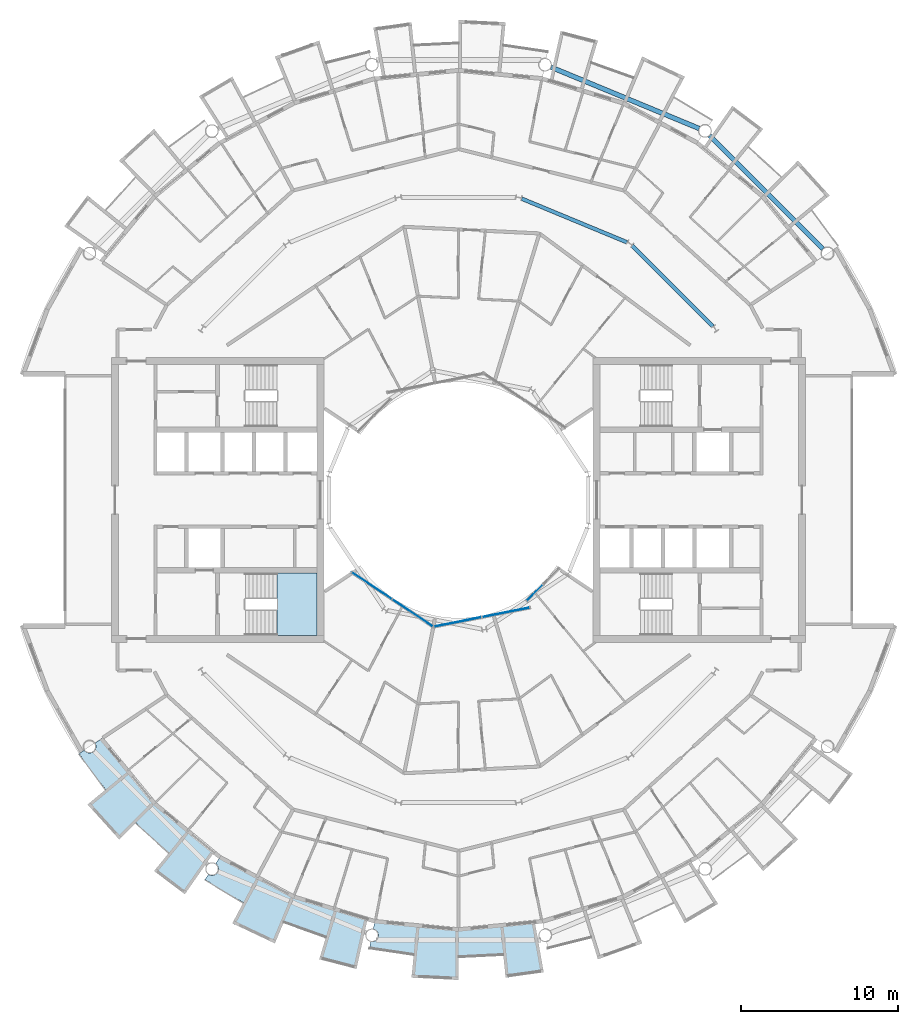
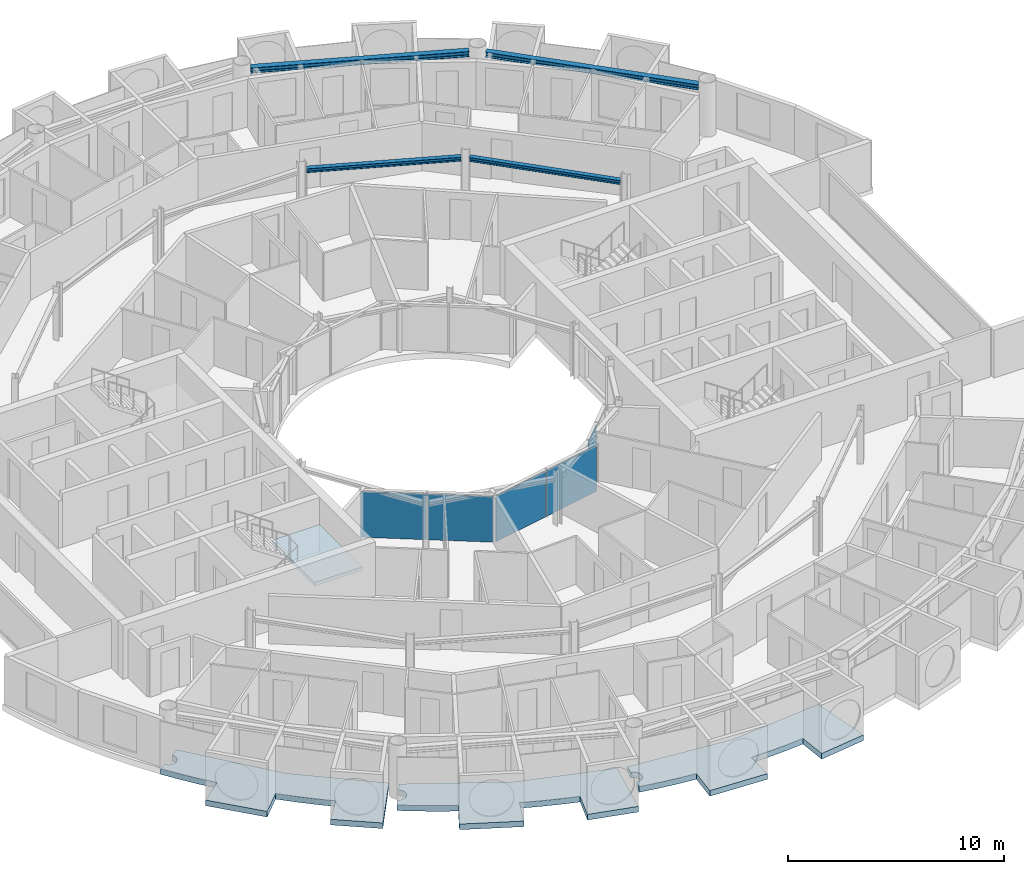
# One storey, part 11 of 29: 5 plates, 4 beams, 4 slabs, 4 elements without a shape of their own.
"""IFC4 building model written with IfcOpenShell, lengths in metres."""

from ifc_helpers import new_model, si_unit, direction, frame, origin, origin_2d, place, context, subcontext, project, spatial, polyline, rectangle, i_section, outline, extrude, material, layer, layer_set, material_profile, profile_set, type_object, element, aggregate, save


model = new_model("IFC4")

# Units and contexts
model_context = context("Model", 3, precision=1e-05, world=origin(), true_north=direction((0.0, 1.0)))
body_context = subcontext(model_context, "Body", "Model", "MODEL_VIEW")
ifc_project = project(units=[si_unit("LENGTHUNIT", "METRE"), si_unit("AREAUNIT", "SQUARE_METRE"), si_unit("VOLUMEUNIT", "CUBIC_METRE"), si_unit("PLANEANGLEUNIT", "RADIAN"), si_unit("MASSUNIT", "GRAM", prefix="KILO")], contexts=[model_context])

# Site, building, storey
site_placement = place(None, origin())
site = spatial("IfcSite", under=ifc_project, at=site_placement, CompositionType="ELEMENT")
building_placement = place(site_placement, origin())
building = spatial("IfcBuilding", under=site, at=building_placement, Name="Maasbend Ring Residences", CompositionType="ELEMENT")
storey_placement = place(building_placement, frame((0.0, 0.0, 193.25)))
storey = spatial("IfcBuildingStorey", under=building, at=storey_placement, Name="L55", CompositionType="ELEMENT", Elevation=193.25)

# Beams
ifc_material_1 = material(Name="Steel S355J2", Category="steel")
ifc_material_profile_1 = material_profile(ifc_material_1, i_section(OverallWidth=0.239990234375, OverallDepth=0.22998046875, WebThickness=0.007568359375, FlangeThickness=0.011962890625, FilletRadius=0.02099609375, at=origin_2d()), Name="HEA 240")
ifc_profile_set_1 = profile_set([ifc_material_profile_1], Name="Steel S355J2")
beam_type_1 = type_object("IfcBeamType", Name="Corridor ring beam HEA 240", PredefinedType="BEAM", material=ifc_profile_set_1)
beam_1_placement = place(storey_placement, frame((16.152587890625, 11.033447265625, 2.5849609375), z_axis=(-0.707106781187, 0.707106781187, 0.0), x_axis=(-0.707106781187, -0.707106781187, 0.0)))
element("IfcBeam", 1, at=beam_1_placement, inside=storey, type_object=beam_type_1, Name="Corridor ring beam", PredefinedType="BEAM", context=body_context, shape_type="SweptSolid", body=[
    extrude(i_section(OverallWidth=0.239990234375, OverallDepth=0.22998046875, WebThickness=0.007568359375, FlangeThickness=0.011962890625, FilletRadius=0.02099609375, at=origin_2d()), origin(), (0.0, 0.0, 1.0), 7.239501953125),
])
beam_2_placement = place(storey_placement, frame((10.70068359375, 16.374755859375, 2.5849609375), z_axis=(-0.923865162022, 0.382718123952, 0.0), x_axis=(-0.382718123952, -0.923865162022, 0.0)))
element("IfcBeam", 2, at=beam_2_placement, inside=storey, type_object=beam_type_1, Name="Corridor ring beam", PredefinedType="BEAM", context=body_context, shape_type="SweptSolid", body=[
    extrude(i_section(OverallWidth=0.239990234375, OverallDepth=0.22998046875, WebThickness=0.007568359375, FlangeThickness=0.011962890625, FilletRadius=0.02099609375, at=origin_2d()), origin(), (0.0, 0.0, 1.0), 7.23974609375),
])
ifc_material_2 = material(Name="Steel S355J2", Category="steel")
ifc_material_profile_2 = material_profile(ifc_material_2, i_section(OverallWidth=0.300048828125, OverallDepth=0.300048828125, WebThickness=0.010986328125, FlangeThickness=0.01904296875, FilletRadius=0.027099609375, at=origin_2d()), Name="HEB 300")
ifc_profile_set_2 = profile_set([ifc_material_profile_2], Name="Steel S355J2")
beam_type_2 = type_object("IfcBeamType", Name="Spandrel ring beam HEB 300", PredefinedType="SPANDREL", material=ifc_profile_set_2)
for number, where, z_axis, x_axis, name in (
    (3, (23.159912109375, 15.95458984375, 2.550048828125), (-0.707106781187, 0.707106781187, 0.0), (-0.707106781187, -0.707106781187, 0.0), "Spandrel ring beam"),
    (4, (15.29150390625, 23.60302734375, 2.550048828125), (-0.923883676188, 0.382673428492, 0.0), (-0.382673428492, -0.923883676188, 0.0), "Spandrel ring beam"),
):
    element("IfcBeam", number, at=place(storey_placement, frame(where, z_axis=z_axis, x_axis=x_axis)), inside=storey, type_object=beam_type_2, Name=name, PredefinedType="SPANDREL", context=body_context, shape_type="SweptSolid", body=[
        extrude(i_section(OverallWidth=0.300048828125, OverallDepth=0.300048828125, WebThickness=0.010986328125, FlangeThickness=0.01904296875, FilletRadius=0.027099609375, at=origin_2d()), origin(), (0.0, 0.0, 1.0), 10.18994140625),
    ])

# Stair, slab
ifc_material_3 = material(Name="Concrete C40/50", Category="concrete")
stair_type = type_object("IfcStairType", Name="CORE STAIR 18 RISERS", PredefinedType="HALF_TURN_STAIR", material=ifc_material_3)
stair_placement = place(storey_placement, origin())
stair = element("IfcStair", 5, at=stair_placement, inside=storey, type_object=stair_type, Name="L55 Exit stair ST-W1", PredefinedType="HALF_TURN_STAIR")
ifc_material_4 = material(Name="Concrete C40/50", Category="concrete")
ifc_layer_1 = layer(ifc_material_4, 0.199951171875)
ifc_layer_set_1 = layer_set([ifc_layer_1], Name="Concrete C40/50")
slab_type_1 = type_object("IfcSlabType", Name="CORE STAIR LANDING 200", PredefinedType="LANDING", material=ifc_layer_set_1)
slab_1_placement = place(storey_placement, frame((0.0, 0.0, 1.324951171875)))
slab_1 = element("IfcSlab", 6, at=slab_1_placement, type_object=slab_type_1, Name="ST-W1 landing 1", PredefinedType="LANDING", context=body_context, shape_type="SweptSolid", body=[
    extrude(outline(polyline([(-11.550048828125, -8.60009765625), (-9.0, -8.60009765625), (-9.0, -4.64990234375), (-11.550048828125, -4.64990234375), (-11.550048828125, -8.60009765625)])), origin(), (0.0, 0.0, 1.0), 0.199951171875),
])
aggregate(stair, [slab_1])

# Curtain wall, plates
ifc_material_5 = material(Name="Aluminium and clear glass", Category="aluminium")
ifc_layer_2 = layer(ifc_material_5, 0.179931640625)
ifc_layer_set_2 = layer_set([ifc_layer_2], Name="CW-W")
curtain_wall_type = type_object("IfcCurtainWallType", Name="CW-W", PredefinedType="NOTDEFINED", material=ifc_layer_set_2)
curtain_wall_1_placement = place(storey_placement, origin())
curtain_wall_1 = element("IfcCurtainWall", 7, at=curtain_wall_1_placement, inside=storey, type_object=curtain_wall_type, Name="Well curtain wall S1", PredefinedType="NOTDEFINED")
ifc_material_6 = material(Name="Glass clear laminated", Category="glass")
ifc_layer_3 = layer(ifc_material_6, 0.031982421875)
ifc_layer_set_3 = layer_set([ifc_layer_3], Name="CWP-W")
plate_type = type_object("IfcPlateType", Name="CWP-W", PredefinedType="CURTAIN_PANEL", material=ifc_layer_set_3)
plate_1_placement = place(storey_placement, frame((-5.51123046875, -5.44580078125, 0.0), z_axis=(0.0, 0.0, 1.0), x_axis=(0.831469612303, -0.55557023302, 0.0)))
plate_1 = element("IfcPlate", 8, at=plate_1_placement, type_object=plate_type, Name="Glass panel well face", PredefinedType="CURTAIN_PANEL", context=body_context, shape_type="SweptSolid", body=[
    extrude(rectangle(XDim=3.053955078125, YDim=0.031982421875, at=origin_2d()), origin(), (0.0, 0.0, 1.0), 2.580078125),
])
plate_2_placement = place(storey_placement, frame((-2.922119140625, -7.17578125, 0.0), z_axis=(0.0, 0.0, 1.0), x_axis=(0.831469612303, -0.55557023302, 0.0)))
plate_2 = element("IfcPlate", 9, at=plate_2_placement, type_object=plate_type, Name="Glass panel well face", PredefinedType="CURTAIN_PANEL", context=body_context, shape_type="SweptSolid", body=[
    extrude(rectangle(XDim=3.053955078125, YDim=0.031982421875, at=origin_2d()), origin(), (0.0, 0.0, 1.0), 2.580078125),
])
aggregate(curtain_wall_1, [plate_1, plate_2])

curtain_wall_2_placement = place(storey_placement, origin())
curtain_wall_2 = element("IfcCurtainWall", 10, at=curtain_wall_2_placement, inside=storey, type_object=curtain_wall_type, Name="Well curtain wall S2", PredefinedType="NOTDEFINED")
plate_3_placement = place(storey_placement, frame((-0.04638671875, -7.747802734375, 0.0), z_axis=(0.0, 0.0, 1.0), x_axis=(0.980785280403, 0.195090322016, 0.0)))
plate_3 = element("IfcPlate", 11, at=plate_3_placement, type_object=plate_type, Name="Glass panel well face", PredefinedType="CURTAIN_PANEL", context=body_context, shape_type="SweptSolid", body=[
    extrude(rectangle(XDim=3.053955078125, YDim=0.031982421875, at=origin_2d()), origin(), (0.0, 0.0, 1.0), 2.580078125),
])
plate_4_placement = place(storey_placement, frame((3.0078125, -7.140380859375, 0.0), z_axis=(0.0, 0.0, 1.0), x_axis=(0.980785280403, 0.195090322016, 0.0)))
plate_4 = element("IfcPlate", 12, at=plate_4_placement, type_object=plate_type, Name="Glass panel well face", PredefinedType="CURTAIN_PANEL", context=body_context, shape_type="SweptSolid", body=[
    extrude(rectangle(XDim=3.053955078125, YDim=0.031982421875, at=origin_2d()), origin(), (0.0, 0.0, 1.0), 2.580078125),
])
aggregate(curtain_wall_2, [plate_3, plate_4])

# Curtain wall, plate
curtain_wall_3_placement = place(storey_placement, origin())
curtain_wall_3 = element("IfcCurtainWall", 13, at=curtain_wall_3_placement, inside=storey, type_object=curtain_wall_type, Name="Well curtain wall S3", PredefinedType="NOTDEFINED")
plate_5_placement = place(storey_placement, frame((4.84375, -5.89013671875, 0.0), z_axis=(0.0, 0.0, 1.0), x_axis=(0.707106781187, 0.707106781187, 0.0)))
plate_5 = element("IfcPlate", 14, at=plate_5_placement, type_object=plate_type, Name="Glass panel well face", PredefinedType="CURTAIN_PANEL", context=body_context, shape_type="SweptSolid", body=[
    extrude(rectangle(XDim=1.419677734375, YDim=0.031982421875, at=origin_2d()), origin(), (0.0, 0.0, 1.0), 2.580078125),
])
aggregate(curtain_wall_3, [plate_5])

# Slabs
ifc_material_7 = material(Name="Concrete C40/50", Category="concrete")
ifc_layer_4 = layer(ifc_material_7, 0.199951171875)
ifc_layer_set_4 = layer_set([ifc_layer_4], Name="Concrete C40/50")
slab_type_2 = type_object("IfcSlabType", Name="SL-LOGGIA", PredefinedType="FLOOR", material=ifc_layer_set_4)
slab_2_placement = place(storey_placement, frame((0.0, 0.0, -0.35009765625)))
element("IfcSlab", 15, at=slab_2_placement, inside=storey, type_object=slab_type_2, Name="Loggia floor 1", PredefinedType="FLOOR", context=body_context, shape_type="SweptSolid", body=[
    extrude(outline(polyline([(-15.866943359375, -23.801025390625), (-15.85888671875, -23.805908203125), (-15.85009765625, -23.81005859375), (-15.841064453125, -23.81494140625), (-15.83203125, -23.819091796875), (-15.822998046875, -23.822998046875), (-15.81298828125, -23.826904296875), (-15.803955078125, -23.830078125), (-15.794921875, -23.8330078125), (-15.784912109375, -23.8359375), (-15.77587890625, -23.839111328125), (-15.76611328125, -23.842041015625), (-15.756103515625, -23.843994140625), (-15.74609375, -23.845947265625), (-15.737060546875, -23.847900390625), (-15.72705078125, -23.85009765625), (-15.717041015625, -23.85107421875), (-15.70703125, -23.85205078125), (-15.697021484375, -23.85302734375), (-15.68701171875, -23.85302734375), (-15.677001953125, -23.85400390625), (-15.6669921875, -23.85400390625), (-15.656982421875, -23.85400390625), (-15.64697265625, -23.85302734375), (-15.636962890625, -23.85302734375), (-15.626953125, -23.85205078125), (-15.616943359375, -23.85107421875), (-15.60693359375, -23.85009765625), (-15.597900390625, -23.847900390625), (-15.587890625, -23.845947265625), (-15.577880859375, -23.843994140625), (-15.568115234375, -23.842041015625), (-15.55908203125, -23.839111328125), (-15.549072265625, -23.8359375), (-15.5400390625, -23.8330078125), (-15.530029296875, -23.830078125), (-15.52099609375, -23.826904296875), (-15.511962890625, -23.822998046875), (-15.501953125, -23.819091796875), (-15.492919921875, -23.81494140625), (-15.48388671875, -23.81005859375), (-15.47509765625, -23.805908203125), (-15.467041015625, -23.801025390625), (-15.4580078125, -23.7958984375), (-15.449951171875, -23.791015625), (-15.44091796875, -23.784912109375), (-15.43310546875, -23.780029296875), (-15.425048828125, -23.77392578125), (-15.4169921875, -23.76806640625), (-15.408935546875, -23.761962890625), (-15.402099609375, -23.7548828125), (-15.39404296875, -23.7490234375), (-15.386962890625, -23.741943359375), (-15.3798828125, -23.735107421875), (-15.373046875, -23.72802734375), (-15.365966796875, -23.719970703125), (-15.35888671875, -23.712890625), (-15.35302734375, -23.705078125), (-15.346923828125, -23.697021484375), (-15.341064453125, -23.68994140625), (-15.3349609375, -23.680908203125), (-15.3291015625, -23.673095703125), (-15.323974609375, -23.6650390625), (-15.318115234375, -23.656005859375), (-15.31298828125, -23.64794921875), (-15.30908203125, -23.638916015625), (-15.303955078125, -23.6298828125), (-15.300048828125, -23.62109375), (-15.294921875, -23.612060546875), (-15.2919921875, -23.60302734375), (-15.2880859375, -23.593994140625), (-15.283935546875, -23.583984375), (-15.281005859375, -23.574951171875), (-15.278076171875, -23.56494140625), (-15.27490234375, -23.555908203125), (-15.27294921875, -23.5458984375), (-15.27001953125, -23.535888671875), (-15.26806640625, -23.527099609375), (-15.26708984375, -23.51708984375), (-15.264892578125, -23.507080078125), (-15.263916015625, -23.4970703125), (-15.262939453125, -23.487060546875), (-15.261962890625, -23.47705078125), (-15.260986328125, -23.467041015625), (-15.260986328125, -23.45703125), (-15.260986328125, -23.447021484375), (-15.260986328125, -23.43701171875), (-15.260986328125, -23.427001953125), (-15.261962890625, -23.4169921875), (-15.262939453125, -23.407958984375), (-15.263916015625, -23.39794921875), (-15.264892578125, -23.387939453125), (-15.26708984375, -23.3779296875), (-15.26806640625, -23.367919921875), (-15.27001953125, -23.35791015625), (-15.27294921875, -23.34912109375), (-15.27490234375, -23.339111328125), (-15.278076171875, -23.3291015625), (-15.281005859375, -23.320068359375), (-15.283935546875, -23.31005859375), (-15.2880859375, -23.301025390625), (-15.2919921875, -23.2919921875), (-15.294921875, -23.282958984375), (-15.300048828125, -23.27392578125), (-15.303955078125, -23.264892578125), (-15.30908203125, -23.256103515625), (-15.31298828125, -23.2470703125), (-15.318115234375, -23.238037109375), (-15.323974609375, -23.22998046875), (-15.3291015625, -23.221923828125), (-15.3349609375, -23.212890625), (-15.341064453125, -23.205078125), (-15.346923828125, -23.197021484375), (-15.35302734375, -23.18994140625), (-15.35888671875, -23.181884765625), (-15.365966796875, -23.174072265625), (-15.373046875, -23.1669921875), (-15.3798828125, -23.159912109375), (-15.386962890625, -23.153076171875), (-15.39404296875, -23.14599609375), (-15.402099609375, -23.139892578125), (-15.408935546875, -23.133056640625), (-15.4169921875, -23.126953125), (-15.425048828125, -23.12109375), (-15.43310546875, -23.114990234375), (-15.44091796875, -23.10888671875), (-15.1669921875, -22.698974609375), (-15.1669921875, -22.698974609375), (-15.1669921875, -22.698974609375), (-12.806884765625, -23.9609375), (-10.447021484375, -25.221923828125), (-10.447021484375, -25.221923828125), (-10.447021484375, -25.221923828125), (-7.886962890625, -25.9990234375), (-5.797119140625, -26.633056640625), (-5.797119140625, -26.633056640625), (-5.797119140625, -26.633056640625), (-6.487060546875, -29.802001953125), (-6.487060546875, -29.802001953125), (-6.487060546875, -29.802001953125), (-8.85400390625, -29.18701171875), (-8.85400390625, -29.18701171875), (-8.85400390625, -29.18701171875), (-8.41796875, -27.751953125), (-8.41796875, -27.751953125), (-8.41796875, -27.751953125), (-8.41796875, -27.751953125), (-8.41796875, -27.751953125), (-8.41796875, -27.751953125), (-8.41796875, -27.7509765625), (-8.41796875, -27.7509765625), (-8.41796875, -27.7509765625), (-8.41796875, -27.7509765625), (-8.41796875, -27.7509765625), (-8.4189453125, -27.7509765625), (-8.4189453125, -27.7509765625), (-8.4189453125, -27.7509765625), (-8.4189453125, -27.7509765625), (-8.4189453125, -27.7509765625), (-8.4189453125, -27.7509765625), (-9.322021484375, -27.4609375), (-9.322021484375, -27.4609375), (-10.215087890625, -27.14111328125), (-10.215087890625, -27.14111328125), (-11.096923828125, -26.79296875), (-11.096923828125, -26.79296875), (-11.096923828125, -26.79296875), (-11.097900390625, -26.79296875), (-11.097900390625, -26.79296875), (-11.097900390625, -26.79296875), (-11.097900390625, -26.79296875), (-11.097900390625, -26.79296875), (-11.097900390625, -26.79296875), (-11.097900390625, -26.79296875), (-11.097900390625, -26.79296875), (-11.097900390625, -26.79296875), (-11.097900390625, -26.79296875), (-11.097900390625, -26.79296875), (-11.097900390625, -26.79296875), (-11.097900390625, -26.79296875), (-11.097900390625, -26.79296875), (-11.672119140625, -28.177978515625), (-11.672119140625, -28.177978515625), (-11.672119140625, -28.177978515625), (-14.3779296875, -26.89892578125), (-14.3779296875, -26.89892578125), (-14.3779296875, -26.89892578125), (-13.6708984375, -25.575927734375), (-13.6708984375, -25.575927734375), (-13.6708984375, -25.575927734375), (-13.6708984375, -25.575927734375), (-13.6708984375, -25.575927734375), (-13.6708984375, -25.575927734375), (-13.6708984375, -25.575927734375), (-13.6708984375, -25.575927734375), (-13.6708984375, -25.575927734375), (-13.6708984375, -25.575927734375), (-13.6708984375, -25.575927734375), (-13.6708984375, -25.575927734375), (-13.6708984375, -25.575927734375), (-13.6708984375, -25.575927734375), (-13.6708984375, -25.575927734375), (-13.6708984375, -25.575927734375), (-13.6708984375, -25.574951171875), (-14.5, -25.114990234375), (-14.5, -25.114990234375), (-15.31396484375, -24.626953125), (-15.31396484375, -24.626953125), (-16.112060546875, -24.113037109375), (-16.112060546875, -24.113037109375), (-16.112060546875, -24.113037109375), (-15.89306640625, -23.784912109375), (-15.885009765625, -23.791015625), (-15.8759765625, -23.7958984375), (-15.866943359375, -23.801025390625)])), origin(), (0.0, 0.0, 1.0), 0.320068359375),
])
slab_3_placement = place(storey_placement, frame((0.0, 0.0, -0.35009765625)))
element("IfcSlab", 16, at=slab_3_placement, inside=storey, type_object=slab_type_2, Name="Loggia floor 3", PredefinedType="FLOOR", context=body_context, shape_type="SweptSolid", body=[
    extrude(outline(polyline([(-2.6630859375, -27.0380859375), (0.0, -27.300048828125), (0.0, -27.300048828125), (0.0, -27.300048828125), (2.6630859375, -27.0380859375), (4.8359375, -26.823974609375), (4.8359375, -26.823974609375), (4.8359375, -26.823974609375), (5.412109375, -30.01611328125), (5.412109375, -30.01611328125), (5.412109375, -30.01611328125), (2.989990234375, -30.35302734375), (2.989990234375, -30.35302734375), (2.989990234375, -30.35302734375), (2.843017578125, -28.861083984375), (2.843017578125, -28.861083984375), (2.843017578125, -28.861083984375), (2.843017578125, -28.861083984375), (2.842041015625, -28.861083984375), (2.842041015625, -28.861083984375), (2.842041015625, -28.861083984375), (2.842041015625, -28.861083984375), (2.842041015625, -28.861083984375), (2.842041015625, -28.860107421875), (2.842041015625, -28.860107421875), (2.842041015625, -28.860107421875), (2.842041015625, -28.860107421875), (2.842041015625, -28.860107421875), (2.842041015625, -28.860107421875), (2.842041015625, -28.860107421875), (2.842041015625, -28.860107421875), (1.89697265625, -28.93798828125), (1.89697265625, -28.93798828125), (0.948974609375, -28.98388671875), (0.948974609375, -28.98388671875), (0.0, -29.0), (0.0, -29.0), (0.0, -29.0), (0.0, -29.0), (0.0, -29.0), (0.0, -29.0), (0.0, -29.0), (0.0, -29.0), (0.0, -29.0), (0.0, -29.0), (0.0, -29.0), (0.0, -29.0), (0.0, -29.0), (0.0, -29.0), (0.0, -29.0), (0.0, -29.0), (0.0, -29.0), (0.0, -30.5), (0.0, -30.5), (0.0, -30.5), (-2.989990234375, -30.35302734375), (-2.989990234375, -30.35302734375), (-2.989990234375, -30.35302734375), (-2.843017578125, -28.861083984375), (-2.843017578125, -28.861083984375), (-2.843017578125, -28.861083984375), (-2.843017578125, -28.861083984375), (-2.843017578125, -28.861083984375), (-2.843017578125, -28.861083984375), (-2.843017578125, -28.861083984375), (-2.843017578125, -28.861083984375), (-2.843017578125, -28.860107421875), (-2.843017578125, -28.860107421875), (-2.843017578125, -28.860107421875), (-2.843017578125, -28.860107421875), (-2.843017578125, -28.860107421875), (-2.843017578125, -28.860107421875), (-2.843017578125, -28.860107421875), (-2.843017578125, -28.860107421875), (-2.843017578125, -28.860107421875), (-3.784912109375, -28.751953125), (-3.784912109375, -28.751953125), (-4.72412109375, -28.613037109375), (-4.72412109375, -28.613037109375), (-5.657958984375, -28.443115234375), (-5.657958984375, -28.443115234375), (-5.657958984375, -28.443115234375), (-5.5810546875, -28.056884765625), (-5.5810546875, -28.056884765625), (-5.571044921875, -28.05908203125), (-5.56103515625, -28.06005859375), (-5.551025390625, -28.06201171875), (-5.541015625, -28.06298828125), (-5.531005859375, -28.06298828125), (-5.52099609375, -28.06396484375), (-5.510986328125, -28.06396484375), (-5.501953125, -28.06494140625), (-5.491943359375, -28.06396484375), (-5.48193359375, -28.06396484375), (-5.471923828125, -28.06298828125), (-5.4619140625, -28.06298828125), (-5.451904296875, -28.06201171875), (-5.44189453125, -28.06005859375), (-5.431884765625, -28.05908203125), (-5.422119140625, -28.056884765625), (-5.412109375, -28.054931640625), (-5.403076171875, -28.052001953125), (-5.39306640625, -28.050048828125), (-5.383056640625, -28.047119140625), (-5.3740234375, -28.0439453125), (-5.364990234375, -28.041015625), (-5.35498046875, -28.037109375), (-5.345947265625, -28.033935546875), (-5.3369140625, -28.030029296875), (-5.327880859375, -28.02587890625), (-5.319091796875, -28.02099609375), (-5.31005859375, -28.01708984375), (-5.301025390625, -28.011962890625), (-5.29296875, -28.007080078125), (-5.283935546875, -28.001953125), (-5.27587890625, -27.99609375), (-5.26708984375, -27.989990234375), (-5.259033203125, -27.985107421875), (-5.2509765625, -27.97900390625), (-5.243896484375, -27.971923828125), (-5.236083984375, -27.966064453125), (-5.22900390625, -27.958984375), (-5.220947265625, -27.952880859375), (-5.214111328125, -27.946044921875), (-5.20703125, -27.93798828125), (-5.199951171875, -27.930908203125), (-5.194091796875, -27.924072265625), (-5.18701171875, -27.916015625), (-5.180908203125, -27.907958984375), (-5.175048828125, -27.89990234375), (-5.1689453125, -27.89208984375), (-5.1640625, -27.884033203125), (-5.157958984375, -27.8759765625), (-5.153076171875, -27.866943359375), (-5.14794921875, -27.85791015625), (-5.14306640625, -27.85009765625), (-5.137939453125, -27.841064453125), (-5.134033203125, -27.83203125), (-5.1298828125, -27.822998046875), (-5.1259765625, -27.81396484375), (-5.1220703125, -27.803955078125), (-5.118896484375, -27.794921875), (-5.115966796875, -27.785888671875), (-5.113037109375, -27.77587890625), (-5.110107421875, -27.76708984375), (-5.10693359375, -27.757080078125), (-5.10498046875, -27.7470703125), (-5.10302734375, -27.737060546875), (-5.10107421875, -27.72802734375), (-5.09912109375, -27.718017578125), (-5.097900390625, -27.7080078125), (-5.096923828125, -27.697998046875), (-5.095947265625, -27.68798828125), (-5.094970703125, -27.677978515625), (-5.094970703125, -27.66796875), (-5.094970703125, -27.657958984375), (-5.094970703125, -27.64794921875), (-5.094970703125, -27.637939453125), (-5.095947265625, -27.6279296875), (-5.096923828125, -27.617919921875), (-5.097900390625, -27.60791015625), (-5.09912109375, -27.597900390625), (-5.10107421875, -27.589111328125), (-5.10302734375, -27.5791015625), (-5.10498046875, -27.569091796875), (-5.10693359375, -27.55908203125), (-5.110107421875, -27.550048828125), (-5.113037109375, -27.5400390625), (-5.115966796875, -27.531005859375), (-5.118896484375, -27.52099609375), (-5.1220703125, -27.511962890625), (-5.1259765625, -27.5029296875), (-5.1298828125, -27.492919921875), (-5.134033203125, -27.48388671875), (-5.137939453125, -27.47509765625), (-5.14306640625, -27.466064453125), (-5.14794921875, -27.4580078125), (-5.153076171875, -27.448974609375), (-5.157958984375, -27.44091796875), (-5.1640625, -27.431884765625), (-5.1689453125, -27.424072265625), (-5.175048828125, -27.416015625), (-5.180908203125, -27.407958984375), (-5.18701171875, -27.39990234375), (-5.194091796875, -27.39306640625), (-5.199951171875, -27.385009765625), (-5.20703125, -27.3779296875), (-5.214111328125, -27.37109375), (-5.220947265625, -27.364013671875), (-5.22900390625, -27.35693359375), (-5.236083984375, -27.35009765625), (-5.243896484375, -27.343994140625), (-5.2509765625, -27.337890625), (-5.259033203125, -27.33203125), (-5.26708984375, -27.325927734375), (-5.27587890625, -27.320068359375), (-5.283935546875, -27.31494140625), (-5.29296875, -27.30908203125), (-5.301025390625, -27.303955078125), (-5.31005859375, -27.300048828125), (-5.319091796875, -27.294921875), (-5.327880859375, -27.291015625), (-5.3369140625, -27.285888671875), (-5.345947265625, -27.282958984375), (-5.35498046875, -27.279052734375), (-5.364990234375, -27.27490234375), (-5.3740234375, -27.27197265625), (-5.383056640625, -27.26904296875), (-5.39306640625, -27.26611328125), (-5.403076171875, -27.263916015625), (-5.412109375, -27.260986328125), (-5.422119140625, -27.259033203125), (-5.422119140625, -27.259033203125), (-5.325927734375, -26.77490234375), (-5.325927734375, -26.77490234375), (-5.325927734375, -26.77490234375), (-2.6630859375, -27.0380859375)])), origin(), (0.0, 0.0, 1.0), 0.320068359375),
])
slab_4_placement = place(storey_placement, frame((0.0, 0.0, -0.35009765625)))
element("IfcSlab", 17, at=slab_4_placement, inside=storey, type_object=slab_type_2, Name="Loggia floor 4", PredefinedType="FLOOR", context=body_context, shape_type="SweptSolid", body=[
    extrude(outline(polyline([(-23.77392578125, -15.908935546875), (-23.76806640625, -15.9169921875), (-23.761962890625, -15.925048828125), (-23.7548828125, -15.93310546875), (-23.7490234375, -15.93994140625), (-23.741943359375, -15.947021484375), (-23.735107421875, -15.955078125), (-23.72802734375, -15.9619140625), (-23.719970703125, -15.968017578125), (-23.712890625, -15.97509765625), (-23.705078125, -15.98095703125), (-23.697021484375, -15.988037109375), (-23.68994140625, -15.993896484375), (-23.680908203125, -15.9990234375), (-23.673095703125, -16.0048828125), (-23.6650390625, -16.010986328125), (-23.656005859375, -16.01611328125), (-23.64794921875, -16.02099609375), (-23.638916015625, -16.02587890625), (-23.6298828125, -16.030029296875), (-23.62109375, -16.034912109375), (-23.612060546875, -16.0390625), (-23.60302734375, -16.04296875), (-23.593994140625, -16.0458984375), (-23.583984375, -16.050048828125), (-23.574951171875, -16.052978515625), (-23.56494140625, -16.055908203125), (-23.555908203125, -16.05908203125), (-23.5458984375, -16.06103515625), (-23.535888671875, -16.06396484375), (-23.527099609375, -16.06591796875), (-23.51708984375, -16.068115234375), (-23.507080078125, -16.069091796875), (-23.4970703125, -16.071044921875), (-23.487060546875, -16.072021484375), (-23.47705078125, -16.072021484375), (-23.467041015625, -16.072998046875), (-23.45703125, -16.072998046875), (-23.447021484375, -16.073974609375), (-23.43701171875, -16.072998046875), (-23.427001953125, -16.072998046875), (-23.4169921875, -16.072021484375), (-23.407958984375, -16.072021484375), (-23.39794921875, -16.071044921875), (-23.387939453125, -16.069091796875), (-23.3779296875, -16.068115234375), (-23.367919921875, -16.06591796875), (-23.35791015625, -16.06396484375), (-23.34912109375, -16.06103515625), (-23.339111328125, -16.05908203125), (-23.3291015625, -16.055908203125), (-23.320068359375, -16.052978515625), (-23.31005859375, -16.050048828125), (-23.301025390625, -16.0458984375), (-23.2919921875, -16.04296875), (-23.282958984375, -16.0390625), (-23.27392578125, -16.034912109375), (-23.264892578125, -16.030029296875), (-23.256103515625, -16.02587890625), (-23.2470703125, -16.02099609375), (-23.238037109375, -16.01611328125), (-23.22998046875, -16.010986328125), (-23.221923828125, -16.0048828125), (-23.212890625, -15.9990234375), (-23.205078125, -15.993896484375), (-23.197021484375, -15.988037109375), (-23.18994140625, -15.98095703125), (-23.181884765625, -15.97509765625), (-23.174072265625, -15.968017578125), (-23.1669921875, -15.9619140625), (-23.159912109375, -15.955078125), (-23.153076171875, -15.947021484375), (-23.14599609375, -15.93994140625), (-23.139892578125, -15.93310546875), (-23.133056640625, -15.925048828125), (-23.126953125, -15.9169921875), (-23.12109375, -15.908935546875), (-23.114990234375, -15.90087890625), (-23.10888671875, -15.89306640625), (-23.10400390625, -15.885009765625), (-23.09912109375, -15.8759765625), (-23.093994140625, -15.866943359375), (-23.089111328125, -15.85888671875), (-23.083984375, -15.85009765625), (-23.080078125, -15.841064453125), (-23.075927734375, -15.83203125), (-23.072021484375, -15.822998046875), (-23.068115234375, -15.81298828125), (-23.06494140625, -15.803955078125), (-23.06103515625, -15.794921875), (-23.05810546875, -15.784912109375), (-23.055908203125, -15.77587890625), (-23.052978515625, -15.76611328125), (-23.051025390625, -15.756103515625), (-23.049072265625, -15.74609375), (-23.047119140625, -15.737060546875), (-23.044921875, -15.72705078125), (-23.0439453125, -15.717041015625), (-23.04296875, -15.70703125), (-23.0419921875, -15.697021484375), (-23.041015625, -15.68701171875), (-23.041015625, -15.677001953125), (-23.041015625, -15.6669921875), (-23.041015625, -15.656982421875), (-23.041015625, -15.64697265625), (-23.0419921875, -15.636962890625), (-23.04296875, -15.626953125), (-23.0439453125, -15.616943359375), (-23.044921875, -15.60693359375), (-23.047119140625, -15.597900390625), (-23.049072265625, -15.587890625), (-23.051025390625, -15.577880859375), (-23.052978515625, -15.568115234375), (-23.055908203125, -15.55908203125), (-23.05810546875, -15.549072265625), (-23.06103515625, -15.5400390625), (-23.06494140625, -15.530029296875), (-23.068115234375, -15.52099609375), (-23.072021484375, -15.511962890625), (-23.075927734375, -15.501953125), (-23.080078125, -15.492919921875), (-23.083984375, -15.48388671875), (-23.089111328125, -15.47509765625), (-23.093994140625, -15.467041015625), (-23.09912109375, -15.4580078125), (-23.10400390625, -15.449951171875), (-23.10888671875, -15.44091796875), (-23.10888671875, -15.44091796875), (-22.698974609375, -15.1669921875), (-22.698974609375, -15.1669921875), (-22.698974609375, -15.1669921875), (-21.001953125, -17.236083984375), (-19.303955078125, -19.303955078125), (-19.303955078125, -19.303955078125), (-19.303955078125, -19.303955078125), (-17.236083984375, -21.001953125), (-15.547119140625, -22.386962890625), (-15.547119140625, -22.386962890625), (-15.547119140625, -22.386962890625), (-17.39794921875, -25.051025390625), (-17.39794921875, -25.051025390625), (-17.39794921875, -25.051025390625), (-19.34912109375, -23.576904296875), (-19.34912109375, -23.576904296875), (-19.34912109375, -23.576904296875), (-18.39794921875, -22.41796875), (-18.39794921875, -22.41796875), (-18.39794921875, -22.41796875), (-18.39794921875, -22.41796875), (-18.39794921875, -22.41796875), (-18.39794921875, -22.4169921875), (-18.39794921875, -22.4169921875), (-18.39794921875, -22.4169921875), (-18.39794921875, -22.4169921875), (-18.39794921875, -22.4169921875), (-18.39794921875, -22.4169921875), (-18.39794921875, -22.4169921875), (-18.39794921875, -22.4169921875), (-18.39794921875, -22.4169921875), (-18.39794921875, -22.4169921875), (-18.39794921875, -22.4169921875), (-18.39794921875, -22.4169921875), (-19.12109375, -21.802978515625), (-19.12109375, -21.802978515625), (-19.823974609375, -21.166015625), (-19.823974609375, -21.166015625), (-20.506103515625, -20.506103515625), (-20.506103515625, -20.506103515625), (-20.506103515625, -20.506103515625), (-20.506103515625, -20.506103515625), (-20.506103515625, -20.506103515625), (-20.506103515625, -20.506103515625), (-20.506103515625, -20.506103515625), (-20.506103515625, -20.506103515625), (-20.506103515625, -20.506103515625), (-20.506103515625, -20.506103515625), (-20.506103515625, -20.506103515625), (-20.506103515625, -20.506103515625), (-20.506103515625, -20.506103515625), (-20.506103515625, -20.506103515625), (-20.506103515625, -20.506103515625), (-20.506103515625, -20.506103515625), (-20.506103515625, -20.506103515625), (-21.56689453125, -21.56689453125), (-21.56689453125, -21.56689453125), (-21.56689453125, -21.56689453125), (-23.576904296875, -19.34912109375), (-23.576904296875, -19.34912109375), (-23.576904296875, -19.34912109375), (-22.41796875, -18.39794921875), (-22.41796875, -18.39794921875), (-22.41796875, -18.39794921875), (-22.41796875, -18.39794921875), (-22.41796875, -18.39794921875), (-22.41796875, -18.39794921875), (-22.41796875, -18.39697265625), (-22.41796875, -18.39697265625), (-22.41796875, -18.39697265625), (-22.41796875, -18.39697265625), (-22.41796875, -18.39697265625), (-22.41796875, -18.39697265625), (-22.41796875, -18.39697265625), (-22.41796875, -18.39697265625), (-22.41796875, -18.39697265625), (-22.41796875, -18.39697265625), (-22.41796875, -18.39697265625), (-23.007080078125, -17.654052734375), (-23.007080078125, -17.654052734375), (-23.572998046875, -16.89208984375), (-23.572998046875, -16.89208984375), (-24.113037109375, -16.112060546875), (-24.113037109375, -16.112060546875), (-24.113037109375, -16.112060546875), (-23.784912109375, -15.89306640625), (-23.784912109375, -15.89306640625), (-23.780029296875, -15.90087890625), (-23.77392578125, -15.908935546875)])), origin(), (0.0, 0.0, 1.0), 0.320068359375),
])

save(model, "model.ifc")
